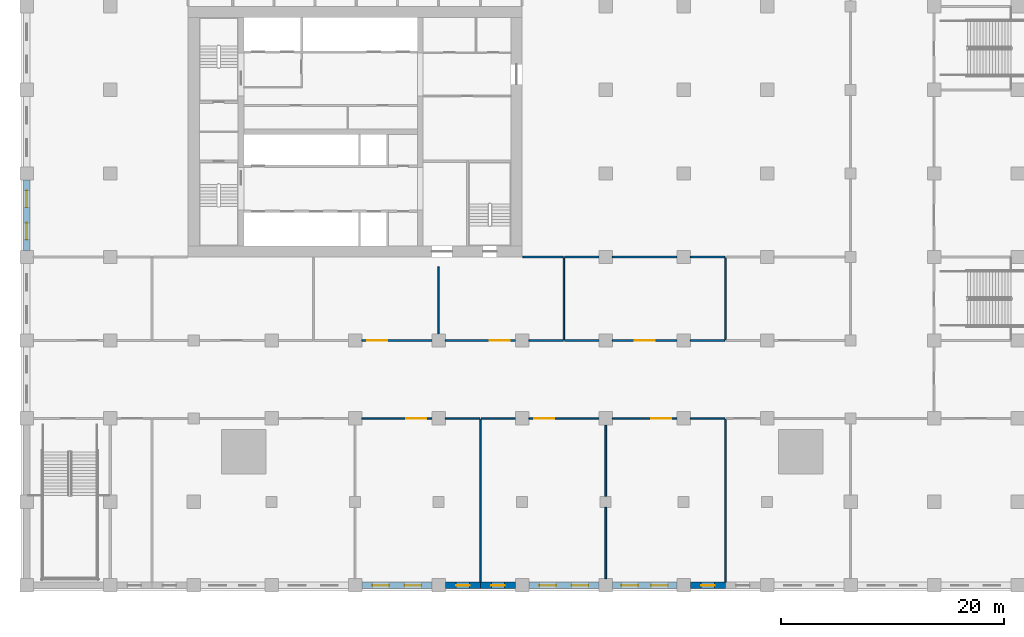
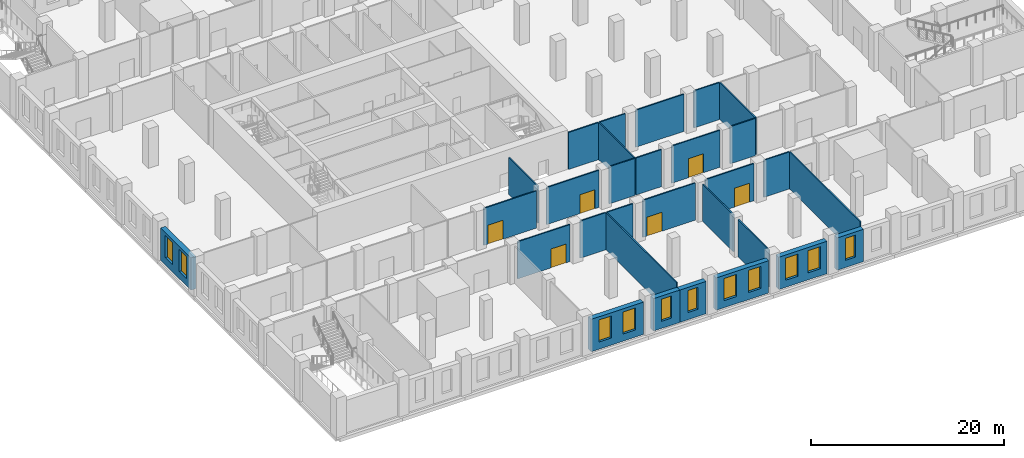
# One storey, part 4 of 32: 30 walls, 11 windows, 6 doors, 17 openings.
"""IFC4 building model written with IfcOpenShell, lengths in metres."""

from ifc_helpers import new_model, si_unit, direction, frame, frame_2d, origin, place, context, subcontext, project, spatial, rectangle, extrude, material, layer, layer_set, type_object, element, fill, save


model = new_model("IFC4")

# Units and contexts
model_context = context("Model", 3, precision=1e-05, world=origin(), true_north=direction((0.0, 1.0)))
body_context = subcontext(model_context, "Body", "Model", "MODEL_VIEW")
ifc_project = project(units=[si_unit("LENGTHUNIT", "METRE"), si_unit("AREAUNIT", "SQUARE_METRE"), si_unit("VOLUMEUNIT", "CUBIC_METRE"), si_unit("PLANEANGLEUNIT", "RADIAN"), si_unit("MASSUNIT", "GRAM", prefix="KILO")], contexts=[model_context])

# Site, building, storey
site_placement = place(None, origin())
site = spatial("IfcSite", under=ifc_project, at=site_placement, CompositionType="ELEMENT")
building_placement = place(site_placement, origin())
building = spatial("IfcBuilding", under=site, at=building_placement, Name="Tamorin Gate", CompositionType="ELEMENT")
storey_placement = place(building_placement, frame((0.0, 0.0, 18.5)))
storey = spatial("IfcBuildingStorey", under=building, at=storey_placement, Name="L03", CompositionType="ELEMENT", Elevation=18.5)

# Wall, opening, door
ifc_material_1 = material(Name="Concrete masonry C20/25", Category="masonry")
ifc_layer_1 = layer(ifc_material_1, 0.14990234375)
ifc_layer_set_1 = layer_set([ifc_layer_1], Name="Partition 150")
wall_type_1 = type_object("IfcWallType", Name="Partition 150", PredefinedType="PARTITIONING", material=ifc_layer_set_1)
wall_1_placement = place(storey_placement, frame((45.60009765625, 45.5, 0.0), z_axis=(0.0, 0.0, 1.0), x_axis=(1.0, 0.0, 0.0)))
wall_1 = element("IfcWall", 1, at=wall_1_placement, inside=storey, type_object=wall_type_1, Name="Partition 150 L03", PredefinedType="PARTITIONING", context=body_context, shape_type="SweptSolid", body=[
    extrude(rectangle(XDim=6.2998046875, YDim=0.14990234375, at=frame_2d((3.14990234375, 0.0))), origin(), (0.0, 0.0, 1.0), 4.699951171875),
])
opening_1_placement = place(wall_1_placement, frame((4.0, 0.0, 0.0)))
opening_1 = element("IfcOpeningElement", 2, at=opening_1_placement, cuts=wall_1, Name="Opening DP3", PredefinedType="OPENING", context=body_context, shape_type="SweptSolid", body=[
    extrude(rectangle(XDim=1.800048828125, YDim=2.39990234375, at=frame_2d((0.89990234375, 1.199951171875))), frame((0.0, 0.0849609375, 0.0), z_axis=(0.0, -1.0, 0.0), x_axis=(1.0, 0.0, 0.0)), (0.0, 0.0, 1.0), 0.169921875),
])
ifc_material_2 = material(Name="Steel and glass", Category="steel")
door_type = type_object("IfcDoorType", Name="Door pair 1800", OperationType="DOUBLE_DOOR_SINGLE_SWING", PredefinedType="DOOR", material=ifc_material_2)
door_1_placement = place(opening_1_placement, origin())
door_1 = element("IfcDoor", 3, at=door_1_placement, inside=storey, type_object=door_type, Name="Door pair 1800 L03", OperationType="SINGLE_SWING_LEFT", OverallHeight=2.39990234375, OverallWidth=1.800048828125, PredefinedType="DOOR", context=body_context, shape_type="SweptSolid", body=[
    extrude(rectangle(XDim=1.800048828125, YDim=2.39990234375, at=frame_2d((0.89990234375, 1.199951171875))), frame((0.0, 0.02490234375, 0.0), z_axis=(0.0, -1.0, 0.0), x_axis=(1.0, 0.0, 0.0)), (0.0, 0.0, 1.0), 0.050048828125),
])
fill(opening_1, door_1)

# Walls
for number, where, z_axis, x_axis, name in (
    (4, (53.10009765625, 45.5, 0.0), (0.0, 0.0, 1.0), (1.0, 0.0, 0.0), "Partition 150 L03"),
    (5, (56.324951171875, 45.5, 0.0), (0.0, 0.0, 1.0), (1.0, 0.0, 0.0), "Partition 150 L03"),
):
    element("IfcWall", number, at=place(storey_placement, frame(where, z_axis=z_axis, x_axis=x_axis)), inside=storey, type_object=wall_type_1, Name=name, PredefinedType="PARTITIONING", context=body_context, shape_type="SweptSolid", body=[
        extrude(rectangle(XDim=3.074951171875, YDim=0.14990234375, at=frame_2d((1.53759765625, 0.0))), origin(), (0.0, 0.0, 1.0), 4.699951171875),
    ])

# Wall, opening, door
wall_2_placement = place(storey_placement, frame((60.60009765625, 45.5, 0.0), z_axis=(0.0, 0.0, 1.0), x_axis=(1.0, 0.0, 0.0)))
wall_2 = element("IfcWall", 6, at=wall_2_placement, inside=storey, type_object=wall_type_1, Name="Partition 150 L03", PredefinedType="PARTITIONING", context=body_context, shape_type="SweptSolid", body=[
    extrude(rectangle(XDim=6.2998046875, YDim=0.14990234375, at=frame_2d((3.14990234375, 0.0))), origin(), (0.0, 0.0, 1.0), 4.699951171875),
])
opening_2_placement = place(wall_2_placement, frame((0.5, 0.0, 0.0)))
opening_2 = element("IfcOpeningElement", 7, at=opening_2_placement, cuts=wall_2, Name="Opening DP3", PredefinedType="OPENING", context=body_context, shape_type="SweptSolid", body=[
    extrude(rectangle(XDim=1.800048828125, YDim=2.39990234375, at=frame_2d((0.89990234375, 1.199951171875))), frame((0.0, 0.0849609375, 0.0), z_axis=(0.0, -1.0, 0.0), x_axis=(1.0, 0.0, 0.0)), (0.0, 0.0, 1.0), 0.169921875),
])
door_2_placement = place(opening_2_placement, origin())
door_2 = element("IfcDoor", 8, at=door_2_placement, inside=storey, type_object=door_type, Name="Door pair 1800 L03", OperationType="SINGLE_SWING_LEFT", OverallHeight=2.39990234375, OverallWidth=1.800048828125, PredefinedType="DOOR", context=body_context, shape_type="SweptSolid", body=[
    extrude(rectangle(XDim=1.800048828125, YDim=2.39990234375, at=frame_2d((0.89990234375, 1.199951171875))), frame((0.0, 0.02490234375, 0.0), z_axis=(0.0, -1.0, 0.0), x_axis=(1.0, 0.0, 0.0)), (0.0, 0.0, 1.0), 0.050048828125),
])
fill(opening_2, door_2)

wall_3_placement = place(storey_placement, frame((68.10009765625, 45.5, 0.0), z_axis=(0.0, 0.0, 1.0), x_axis=(1.0, 0.0, 0.0)))
wall_3 = element("IfcWall", 9, at=wall_3_placement, inside=storey, type_object=wall_type_1, Name="Partition 150 L03", PredefinedType="PARTITIONING", context=body_context, shape_type="SweptSolid", body=[
    extrude(rectangle(XDim=5.7998046875, YDim=0.14990234375, at=frame_2d((2.89990234375, 0.0))), origin(), (0.0, 0.0, 1.0), 4.699951171875),
])
opening_3_placement = place(wall_3_placement, frame((3.5, 0.0, 0.0)))
opening_3 = element("IfcOpeningElement", 10, at=opening_3_placement, cuts=wall_3, Name="Opening DP3", PredefinedType="OPENING", context=body_context, shape_type="SweptSolid", body=[
    extrude(rectangle(XDim=1.800048828125, YDim=2.39990234375, at=frame_2d((0.89990234375, 1.199951171875))), frame((0.0, 0.0849609375, 0.0), z_axis=(0.0, -1.0, 0.0), x_axis=(1.0, 0.0, 0.0)), (0.0, 0.0, 1.0), 0.169921875),
])
door_3_placement = place(opening_3_placement, origin())
door_3 = element("IfcDoor", 11, at=door_3_placement, inside=storey, type_object=door_type, Name="Door pair 1800 L03", OperationType="SINGLE_SWING_LEFT", OverallHeight=2.39990234375, OverallWidth=1.800048828125, PredefinedType="DOOR", context=body_context, shape_type="SweptSolid", body=[
    extrude(rectangle(XDim=1.800048828125, YDim=2.39990234375, at=frame_2d((0.89990234375, 1.199951171875))), frame((0.0, 0.02490234375, 0.0), z_axis=(0.0, -1.0, 0.0), x_axis=(1.0, 0.0, 0.0)), (0.0, 0.0, 1.0), 0.050048828125),
])
fill(opening_3, door_3)

# Wall
wall_4_placement = place(storey_placement, frame((75.10009765625, 45.5, 0.0), z_axis=(0.0, 0.0, 1.0), x_axis=(1.0, 0.0, 0.0)))
element("IfcWall", 12, at=wall_4_placement, inside=storey, type_object=wall_type_1, Name="Partition 150 L03", PredefinedType="PARTITIONING", context=body_context, shape_type="SweptSolid", body=[
    extrude(rectangle(XDim=3.074951171875, YDim=0.14990234375, at=frame_2d((1.53759765625, 0.0))), origin(), (0.0, 0.0, 1.0), 4.699951171875),
])

# Wall, opening, door
wall_5_placement = place(storey_placement, frame((51.89990234375, 52.5, 0.0), z_axis=(0.0, 0.0, 1.0), x_axis=(-1.0, 0.0, 0.0)))
wall_5 = element("IfcWall", 13, at=wall_5_placement, inside=storey, type_object=wall_type_1, Name="Partition 150 L03", PredefinedType="PARTITIONING", context=body_context, shape_type="SweptSolid", body=[
    extrude(rectangle(XDim=6.2998046875, YDim=0.14990234375, at=frame_2d((3.14990234375, 0.0))), origin(), (0.0, 0.0, 1.0), 4.699951171875),
])
opening_4_placement = place(wall_5_placement, frame((4.0, 0.0, 0.0)))
opening_4 = element("IfcOpeningElement", 14, at=opening_4_placement, cuts=wall_5, Name="Opening DP3", PredefinedType="OPENING", context=body_context, shape_type="SweptSolid", body=[
    extrude(rectangle(XDim=1.800048828125, YDim=2.39990234375, at=frame_2d((0.89990234375, 1.199951171875))), frame((0.0, 0.0849609375, 0.0), z_axis=(0.0, -1.0, 0.0), x_axis=(1.0, 0.0, 0.0)), (0.0, 0.0, 1.0), 0.169921875),
])
door_4_placement = place(opening_4_placement, origin())
door_4 = element("IfcDoor", 15, at=door_4_placement, inside=storey, type_object=door_type, Name="Door pair 1800 L03", OperationType="SINGLE_SWING_LEFT", OverallHeight=2.39990234375, OverallWidth=1.800048828125, PredefinedType="DOOR", context=body_context, shape_type="SweptSolid", body=[
    extrude(rectangle(XDim=1.800048828125, YDim=2.39990234375, at=frame_2d((0.89990234375, 1.199951171875))), frame((0.0, 0.02490234375, 0.0), z_axis=(0.0, -1.0, 0.0), x_axis=(1.0, 0.0, 0.0)), (0.0, 0.0, 1.0), 0.050048828125),
])
fill(opening_4, door_4)

wall_6_placement = place(storey_placement, frame((59.39990234375, 52.5, 0.0), z_axis=(0.0, 0.0, 1.0), x_axis=(-1.0, 0.0, 0.0)))
wall_6 = element("IfcWall", 16, at=wall_6_placement, inside=storey, type_object=wall_type_1, Name="Partition 150 L03", PredefinedType="PARTITIONING", context=body_context, shape_type="SweptSolid", body=[
    extrude(rectangle(XDim=6.2998046875, YDim=0.14990234375, at=frame_2d((3.14990234375, 0.0))), origin(), (0.0, 0.0, 1.0), 4.699951171875),
])
opening_5_placement = place(wall_6_placement, frame((0.5, 0.0, 0.0)))
opening_5 = element("IfcOpeningElement", 17, at=opening_5_placement, cuts=wall_6, Name="Opening DP3", PredefinedType="OPENING", context=body_context, shape_type="SweptSolid", body=[
    extrude(rectangle(XDim=1.800048828125, YDim=2.39990234375, at=frame_2d((0.89990234375, 1.199951171875))), frame((0.0, 0.0849609375, 0.0), z_axis=(0.0, -1.0, 0.0), x_axis=(1.0, 0.0, 0.0)), (0.0, 0.0, 1.0), 0.169921875),
])
door_5_placement = place(opening_5_placement, origin())
door_5 = element("IfcDoor", 18, at=door_5_placement, inside=storey, type_object=door_type, Name="Door pair 1800 L03", OperationType="SINGLE_SWING_LEFT", OverallHeight=2.39990234375, OverallWidth=1.800048828125, PredefinedType="DOOR", context=body_context, shape_type="SweptSolid", body=[
    extrude(rectangle(XDim=1.800048828125, YDim=2.39990234375, at=frame_2d((0.89990234375, 1.199951171875))), frame((0.0, 0.02490234375, 0.0), z_axis=(0.0, -1.0, 0.0), x_axis=(1.0, 0.0, 0.0)), (0.0, 0.0, 1.0), 0.050048828125),
])
fill(opening_5, door_5)

# Walls
for number, where, z_axis, x_axis, name in (
    (19, (60.60009765625, 52.5, 0.0), (0.0, 0.0, 1.0), (1.0, 0.0, 0.0), "Partition 150 L03"),
    (20, (63.824951171875, 52.5, 0.0), (0.0, 0.0, 1.0), (1.0, 0.0, 0.0), "Partition 150 L03"),
):
    element("IfcWall", number, at=place(storey_placement, frame(where, z_axis=z_axis, x_axis=x_axis)), inside=storey, type_object=wall_type_1, Name=name, PredefinedType="PARTITIONING", context=body_context, shape_type="SweptSolid", body=[
        extrude(rectangle(XDim=3.074951171875, YDim=0.14990234375, at=frame_2d((1.53759765625, 0.0))), origin(), (0.0, 0.0, 1.0), 4.699951171875),
    ])

# Wall, opening, door
wall_7_placement = place(storey_placement, frame((73.89990234375, 52.5, 0.0), z_axis=(0.0, 0.0, 1.0), x_axis=(-1.0, 0.0, 0.0)))
wall_7 = element("IfcWall", 21, at=wall_7_placement, inside=storey, type_object=wall_type_1, Name="Partition 150 L03", PredefinedType="PARTITIONING", context=body_context, shape_type="SweptSolid", body=[
    extrude(rectangle(XDim=5.7998046875, YDim=0.14990234375, at=frame_2d((2.89990234375, 0.0))), origin(), (0.0, 0.0, 1.0), 4.699951171875),
])
opening_6_placement = place(wall_7_placement, frame((2.0, 0.0, 0.0)))
opening_6 = element("IfcOpeningElement", 22, at=opening_6_placement, cuts=wall_7, Name="Opening DP3", PredefinedType="OPENING", context=body_context, shape_type="SweptSolid", body=[
    extrude(rectangle(XDim=1.800048828125, YDim=2.39990234375, at=frame_2d((0.89990234375, 1.199951171875))), frame((0.0, 0.0849609375, 0.0), z_axis=(0.0, -1.0, 0.0), x_axis=(1.0, 0.0, 0.0)), (0.0, 0.0, 1.0), 0.169921875),
])
door_6_placement = place(opening_6_placement, origin())
door_6 = element("IfcDoor", 23, at=door_6_placement, inside=storey, type_object=door_type, Name="Door pair 1800 L03", OperationType="SINGLE_SWING_LEFT", OverallHeight=2.39990234375, OverallWidth=1.800048828125, PredefinedType="DOOR", context=body_context, shape_type="SweptSolid", body=[
    extrude(rectangle(XDim=1.800048828125, YDim=2.39990234375, at=frame_2d((0.89990234375, 1.199951171875))), frame((0.0, 0.02490234375, 0.0), z_axis=(0.0, -1.0, 0.0), x_axis=(1.0, 0.0, 0.0)), (0.0, 0.0, 1.0), 0.050048828125),
])
fill(opening_6, door_6)

# Walls
wall_8_placement = place(storey_placement, frame((75.10009765625, 52.5, 0.0), z_axis=(0.0, 0.0, 1.0), x_axis=(1.0, 0.0, 0.0)))
element("IfcWall", 24, at=wall_8_placement, inside=storey, type_object=wall_type_1, Name="Partition 150 L03", PredefinedType="PARTITIONING", context=body_context, shape_type="SweptSolid", body=[
    extrude(rectangle(XDim=3.074951171875, YDim=0.14990234375, at=frame_2d((1.53759765625, 0.0))), origin(), (0.0, 0.0, 1.0), 4.699951171875),
])
wall_9_placement = place(storey_placement, frame((60.074951171875, 60.0, 0.0), z_axis=(0.0, 0.0, 1.0), x_axis=(1.0, 0.0, 0.0)))
element("IfcWall", 25, at=wall_9_placement, inside=storey, type_object=wall_type_1, Name="Partition 150 L03", PredefinedType="PARTITIONING", context=body_context, shape_type="SweptSolid", body=[
    extrude(rectangle(XDim=3.60009765625, YDim=0.14990234375, at=frame_2d((1.800048828125, 0.0))), origin(), (0.0, 0.0, 1.0), 4.699951171875),
])
wall_10_placement = place(storey_placement, frame((63.824951171875, 60.0, 0.0), z_axis=(0.0, 0.0, 1.0), x_axis=(1.0, 0.0, 0.0)))
element("IfcWall", 26, at=wall_10_placement, inside=storey, type_object=wall_type_1, Name="Partition 150 L03", PredefinedType="PARTITIONING", context=body_context, shape_type="SweptSolid", body=[
    extrude(rectangle(XDim=3.074951171875, YDim=0.14990234375, at=frame_2d((1.53759765625, 0.0))), origin(), (0.0, 0.0, 1.0), 4.699951171875),
])
wall_11_placement = place(storey_placement, frame((68.10009765625, 60.0, 0.0), z_axis=(0.0, 0.0, 1.0), x_axis=(1.0, 0.0, 0.0)))
element("IfcWall", 27, at=wall_11_placement, inside=storey, type_object=wall_type_1, Name="Partition 150 L03", PredefinedType="PARTITIONING", context=body_context, shape_type="SweptSolid", body=[
    extrude(rectangle(XDim=5.7998046875, YDim=0.14990234375, at=frame_2d((2.89990234375, 0.0))), origin(), (0.0, 0.0, 1.0), 4.699951171875),
])
wall_12_placement = place(storey_placement, frame((75.10009765625, 60.0, 0.0), z_axis=(0.0, 0.0, 1.0), x_axis=(1.0, 0.0, 0.0)))
element("IfcWall", 28, at=wall_12_placement, inside=storey, type_object=wall_type_1, Name="Partition 150 L03", PredefinedType="PARTITIONING", context=body_context, shape_type="SweptSolid", body=[
    extrude(rectangle(XDim=3.074951171875, YDim=0.14990234375, at=frame_2d((1.53759765625, 0.0))), origin(), (0.0, 0.0, 1.0), 4.699951171875),
])
wall_13_placement = place(storey_placement, frame((56.25, 30.800048828125, 0.0), z_axis=(0.0, 0.0, 1.0), x_axis=(0.0, 1.0, 0.0)))
element("IfcWall", 29, at=wall_13_placement, inside=storey, type_object=wall_type_1, Name="Partition 150 L03", PredefinedType="PARTITIONING", context=body_context, shape_type="SweptSolid", body=[
    extrude(rectangle(XDim=14.625, YDim=0.14990234375, at=frame_2d((7.3125, 0.0))), origin(), (0.0, 0.0, 1.0), 4.699951171875),
])
for number, where, z_axis, x_axis, name in (
    (30, (67.5, 31.10009765625, 0.0), (0.0, 0.0, 1.0), (0.0, 1.0, 0.0), "Partition 150 L03"),
    (31, (67.5, 38.5, 0.0), (0.0, 0.0, 1.0), (0.0, 1.0, 0.0), "Partition 150 L03"),
):
    element("IfcWall", number, at=place(storey_placement, frame(where, z_axis=z_axis, x_axis=x_axis)), inside=storey, type_object=wall_type_1, Name=name, PredefinedType="PARTITIONING", context=body_context, shape_type="SweptSolid", body=[
        extrude(rectangle(XDim=6.39990234375, YDim=0.14990234375, at=frame_2d((3.199951171875, 0.0))), origin(), (0.0, 0.0, 1.0), 4.699951171875),
    ])
wall_14_placement = place(storey_placement, frame((78.25, 30.800048828125, 0.0), z_axis=(0.0, 0.0, 1.0), x_axis=(0.0, 1.0, 0.0)))
element("IfcWall", 32, at=wall_14_placement, inside=storey, type_object=wall_type_1, Name="Partition 150 L03", PredefinedType="PARTITIONING", context=body_context, shape_type="SweptSolid", body=[
    extrude(rectangle(XDim=14.625, YDim=0.14990234375, at=frame_2d((7.3125, 0.0))), origin(), (0.0, 0.0, 1.0), 4.699951171875),
])
wall_15_placement = place(storey_placement, frame((78.25, 52.574951171875, 0.0), z_axis=(0.0, 0.0, 1.0), x_axis=(0.0, 1.0, 0.0)))
element("IfcWall", 33, at=wall_15_placement, inside=storey, type_object=wall_type_1, Name="Partition 150 L03", PredefinedType="PARTITIONING", context=body_context, shape_type="SweptSolid", body=[
    extrude(rectangle(XDim=7.35009765625, YDim=0.14990234375, at=frame_2d((3.675048828125, 0.0))), origin(), (0.0, 0.0, 1.0), 4.699951171875),
])
wall_16_placement = place(storey_placement, frame((52.5, 53.10009765625, 0.0), z_axis=(0.0, 0.0, 1.0), x_axis=(0.0, 1.0, 0.0)))
element("IfcWall", 34, at=wall_16_placement, inside=storey, type_object=wall_type_1, Name="Partition 150 L03", PredefinedType="PARTITIONING", context=body_context, shape_type="SweptSolid", body=[
    extrude(rectangle(XDim=6.0, YDim=0.14990234375, at=frame_2d((3.0, 0.0))), origin(), (0.0, 0.0, 1.0), 4.699951171875),
])
wall_17_placement = place(storey_placement, frame((63.75, 52.574951171875, 0.0), z_axis=(0.0, 0.0, 1.0), x_axis=(0.0, 1.0, 0.0)))
element("IfcWall", 35, at=wall_17_placement, inside=storey, type_object=wall_type_1, Name="Partition 150 L03", PredefinedType="PARTITIONING", context=body_context, shape_type="SweptSolid", body=[
    extrude(rectangle(XDim=7.35009765625, YDim=0.14990234375, at=frame_2d((3.675048828125, 0.0))), origin(), (0.0, 0.0, 1.0), 4.699951171875),
])

# Wall, openings, windows
ifc_material_3 = material(Name="Precast concrete C40/50", Category="concrete")
ifc_layer_2 = layer(ifc_material_3, 0.60009765625)
ifc_layer_set_2 = layer_set([ifc_layer_2], Name="Precast concrete C40/50")
wall_type_2 = type_object("IfcWallType", Name="Precast plinth wall 600", PredefinedType="PARTITIONING", material=ifc_layer_set_2)
wall_18_placement = place(storey_placement, frame((45.60009765625, 30.5, 0.0), z_axis=(0.0, 0.0, 1.0), x_axis=(1.0, 0.0, 0.0)))
wall_18 = element("IfcWall", 36, at=wall_18_placement, inside=storey, type_object=wall_type_2, Name="Precast plinth wall 600 L03", PredefinedType="PARTITIONING", context=body_context, shape_type="SweptSolid", body=[
    extrude(rectangle(XDim=6.2998046875, YDim=0.60009765625, at=frame_2d((3.14990234375, 0.0))), origin(), (0.0, 0.0, 1.0), 4.10009765625),
])
opening_7_placement = place(wall_18_placement, frame((0.950927734375, 0.0, 0.89990234375)))
opening_7 = element("IfcOpeningElement", 37, at=opening_7_placement, cuts=wall_18, Name="Opening PWN5", PredefinedType="OPENING", context=body_context, shape_type="SweptSolid", body=[
    extrude(rectangle(XDim=1.5, YDim=2.800048828125, at=frame_2d((0.75, 1.39990234375))), frame((0.0, 0.31005859375, 0.0), z_axis=(0.0, -1.0, 0.0), x_axis=(1.0, 0.0, 0.0)), (0.0, 0.0, 1.0), 0.6201171875),
])
opening_8_placement = place(wall_18_placement, frame((3.84912109375, 0.0, 0.89990234375)))
opening_8 = element("IfcOpeningElement", 38, at=opening_8_placement, cuts=wall_18, Name="Opening PWN5", PredefinedType="OPENING", context=body_context, shape_type="SweptSolid", body=[
    extrude(rectangle(XDim=1.5, YDim=2.800048828125, at=frame_2d((0.75, 1.39990234375))), frame((0.0, 0.31005859375, 0.0), z_axis=(0.0, -1.0, 0.0), x_axis=(1.0, 0.0, 0.0)), (0.0, 0.0, 1.0), 0.6201171875),
])
ifc_material_4 = material(Name="Aluminium and glass", Category="aluminium")
window_type_1 = type_object("IfcWindowType", Name="Plinth window 1500x2800", PartitioningType="DOUBLE_PANEL_VERTICAL", PredefinedType="WINDOW", material=ifc_material_4)
window_1_placement = place(opening_7_placement, origin())
window_1 = element("IfcWindow", 39, at=window_1_placement, inside=storey, type_object=window_type_1, Name="Plinth window 1500x2800", OverallHeight=2.800048828125, OverallWidth=1.5, PartitioningType="SINGLE_PANEL", PredefinedType="WINDOW", context=body_context, shape_type="SweptSolid", body=[
    extrude(rectangle(XDim=1.5, YDim=2.800048828125, at=frame_2d((0.75, 1.39990234375))), frame((0.0, 0.030029296875, 0.0), z_axis=(0.0, -1.0, 0.0), x_axis=(1.0, 0.0, 0.0)), (0.0, 0.0, 1.0), 0.06005859375),
])
fill(opening_7, window_1)
window_2_placement = place(opening_8_placement, origin())
window_2 = element("IfcWindow", 40, at=window_2_placement, inside=storey, type_object=window_type_1, Name="Plinth window 1500x2800", OverallHeight=2.800048828125, OverallWidth=1.5, PartitioningType="SINGLE_PANEL", PredefinedType="WINDOW", context=body_context, shape_type="SweptSolid", body=[
    extrude(rectangle(XDim=1.5, YDim=2.800048828125, at=frame_2d((0.75, 1.39990234375))), frame((0.0, 0.030029296875, 0.0), z_axis=(0.0, -1.0, 0.0), x_axis=(1.0, 0.0, 0.0)), (0.0, 0.0, 1.0), 0.06005859375),
])
fill(opening_8, window_2)

# Wall, opening, window
wall_19_placement = place(storey_placement, frame((53.10009765625, 30.5, 0.0), z_axis=(0.0, 0.0, 1.0), x_axis=(1.0, 0.0, 0.0)))
wall_19 = element("IfcWall", 41, at=wall_19_placement, inside=storey, type_object=wall_type_2, Name="Precast plinth wall 600 L03", PredefinedType="PARTITIONING", context=body_context, shape_type="SweptSolid", body=[
    extrude(rectangle(XDim=3.14990234375, YDim=0.60009765625, at=frame_2d((1.574951171875, 0.0))), origin(), (0.0, 0.0, 1.0), 4.10009765625),
])
opening_9_placement = place(wall_19_placement, frame((0.97509765625, 0.0, 0.89990234375)))
opening_9 = element("IfcOpeningElement", 42, at=opening_9_placement, cuts=wall_19, Name="Opening PWN4", PredefinedType="OPENING", context=body_context, shape_type="SweptSolid", body=[
    extrude(rectangle(XDim=1.199951171875, YDim=2.800048828125, at=frame_2d((0.60009765625, 1.39990234375))), frame((0.0, 0.31005859375, 0.0), z_axis=(0.0, -1.0, 0.0), x_axis=(1.0, 0.0, 0.0)), (0.0, 0.0, 1.0), 0.6201171875),
])
window_type_2 = type_object("IfcWindowType", Name="Plinth window 1200x2800", PartitioningType="DOUBLE_PANEL_VERTICAL", PredefinedType="WINDOW", material=ifc_material_4)
window_3_placement = place(opening_9_placement, origin())
window_3 = element("IfcWindow", 43, at=window_3_placement, inside=storey, type_object=window_type_2, Name="Plinth window 1200x2800", OverallHeight=2.800048828125, OverallWidth=1.199951171875, PartitioningType="SINGLE_PANEL", PredefinedType="WINDOW", context=body_context, shape_type="SweptSolid", body=[
    extrude(rectangle(XDim=1.199951171875, YDim=2.800048828125, at=frame_2d((0.60009765625, 1.39990234375))), frame((0.0, 0.030029296875, 0.0), z_axis=(0.0, -1.0, 0.0), x_axis=(1.0, 0.0, 0.0)), (0.0, 0.0, 1.0), 0.06005859375),
])
fill(opening_9, window_3)

wall_20_placement = place(storey_placement, frame((56.25, 30.5, 0.0), z_axis=(0.0, 0.0, 1.0), x_axis=(1.0, 0.0, 0.0)))
wall_20 = element("IfcWall", 44, at=wall_20_placement, inside=storey, type_object=wall_type_2, Name="Precast plinth wall 600 L03", PredefinedType="PARTITIONING", context=body_context, shape_type="SweptSolid", body=[
    extrude(rectangle(XDim=3.14990234375, YDim=0.60009765625, at=frame_2d((1.574951171875, 0.0))), origin(), (0.0, 0.0, 1.0), 4.10009765625),
])
opening_10_placement = place(wall_20_placement, frame((0.97509765625, 0.0, 0.89990234375)))
opening_10 = element("IfcOpeningElement", 45, at=opening_10_placement, cuts=wall_20, Name="Opening PWN4", PredefinedType="OPENING", context=body_context, shape_type="SweptSolid", body=[
    extrude(rectangle(XDim=1.199951171875, YDim=2.800048828125, at=frame_2d((0.60009765625, 1.39990234375))), frame((0.0, 0.31005859375, 0.0), z_axis=(0.0, -1.0, 0.0), x_axis=(1.0, 0.0, 0.0)), (0.0, 0.0, 1.0), 0.6201171875),
])
window_4_placement = place(opening_10_placement, origin())
window_4 = element("IfcWindow", 46, at=window_4_placement, inside=storey, type_object=window_type_2, Name="Plinth window 1200x2800", OverallHeight=2.800048828125, OverallWidth=1.199951171875, PartitioningType="SINGLE_PANEL", PredefinedType="WINDOW", context=body_context, shape_type="SweptSolid", body=[
    extrude(rectangle(XDim=1.199951171875, YDim=2.800048828125, at=frame_2d((0.60009765625, 1.39990234375))), frame((0.0, 0.030029296875, 0.0), z_axis=(0.0, -1.0, 0.0), x_axis=(1.0, 0.0, 0.0)), (0.0, 0.0, 1.0), 0.06005859375),
])
fill(opening_10, window_4)

# Wall, openings, windows
wall_21_placement = place(storey_placement, frame((60.60009765625, 30.5, 0.0), z_axis=(0.0, 0.0, 1.0), x_axis=(1.0, 0.0, 0.0)))
wall_21 = element("IfcWall", 47, at=wall_21_placement, inside=storey, type_object=wall_type_2, Name="Precast plinth wall 600 L03", PredefinedType="PARTITIONING", context=body_context, shape_type="SweptSolid", body=[
    extrude(rectangle(XDim=6.2998046875, YDim=0.60009765625, at=frame_2d((3.14990234375, 0.0))), origin(), (0.0, 0.0, 1.0), 4.10009765625),
])
opening_11_placement = place(wall_21_placement, frame((0.950927734375, 0.0, 0.89990234375)))
opening_11 = element("IfcOpeningElement", 48, at=opening_11_placement, cuts=wall_21, Name="Opening PWN5", PredefinedType="OPENING", context=body_context, shape_type="SweptSolid", body=[
    extrude(rectangle(XDim=1.5, YDim=2.800048828125, at=frame_2d((0.75, 1.39990234375))), frame((0.0, 0.31005859375, 0.0), z_axis=(0.0, -1.0, 0.0), x_axis=(1.0, 0.0, 0.0)), (0.0, 0.0, 1.0), 0.6201171875),
])
opening_12_placement = place(wall_21_placement, frame((3.84912109375, 0.0, 0.89990234375)))
opening_12 = element("IfcOpeningElement", 49, at=opening_12_placement, cuts=wall_21, Name="Opening PWN5", PredefinedType="OPENING", context=body_context, shape_type="SweptSolid", body=[
    extrude(rectangle(XDim=1.5, YDim=2.800048828125, at=frame_2d((0.75, 1.39990234375))), frame((0.0, 0.31005859375, 0.0), z_axis=(0.0, -1.0, 0.0), x_axis=(1.0, 0.0, 0.0)), (0.0, 0.0, 1.0), 0.6201171875),
])
window_5_placement = place(opening_11_placement, origin())
window_5 = element("IfcWindow", 50, at=window_5_placement, inside=storey, type_object=window_type_1, Name="Plinth window 1500x2800", OverallHeight=2.800048828125, OverallWidth=1.5, PartitioningType="SINGLE_PANEL", PredefinedType="WINDOW", context=body_context, shape_type="SweptSolid", body=[
    extrude(rectangle(XDim=1.5, YDim=2.800048828125, at=frame_2d((0.75, 1.39990234375))), frame((0.0, 0.030029296875, 0.0), z_axis=(0.0, -1.0, 0.0), x_axis=(1.0, 0.0, 0.0)), (0.0, 0.0, 1.0), 0.06005859375),
])
fill(opening_11, window_5)
window_6_placement = place(opening_12_placement, origin())
window_6 = element("IfcWindow", 51, at=window_6_placement, inside=storey, type_object=window_type_1, Name="Plinth window 1500x2800", OverallHeight=2.800048828125, OverallWidth=1.5, PartitioningType="SINGLE_PANEL", PredefinedType="WINDOW", context=body_context, shape_type="SweptSolid", body=[
    extrude(rectangle(XDim=1.5, YDim=2.800048828125, at=frame_2d((0.75, 1.39990234375))), frame((0.0, 0.030029296875, 0.0), z_axis=(0.0, -1.0, 0.0), x_axis=(1.0, 0.0, 0.0)), (0.0, 0.0, 1.0), 0.06005859375),
])
fill(opening_12, window_6)

wall_22_placement = place(storey_placement, frame((68.10009765625, 30.5, 0.0), z_axis=(0.0, 0.0, 1.0), x_axis=(1.0, 0.0, 0.0)))
wall_22 = element("IfcWall", 52, at=wall_22_placement, inside=storey, type_object=wall_type_2, Name="Precast plinth wall 600 L03", PredefinedType="PARTITIONING", context=body_context, shape_type="SweptSolid", body=[
    extrude(rectangle(XDim=5.7998046875, YDim=0.60009765625, at=frame_2d((2.89990234375, 0.0))), origin(), (0.0, 0.0, 1.0), 4.10009765625),
])
opening_13_placement = place(wall_22_placement, frame((0.81591796875, 0.0, 0.89990234375)))
opening_13 = element("IfcOpeningElement", 53, at=opening_13_placement, cuts=wall_22, Name="Opening PWN5", PredefinedType="OPENING", context=body_context, shape_type="SweptSolid", body=[
    extrude(rectangle(XDim=1.5, YDim=2.800048828125, at=frame_2d((0.75, 1.39990234375))), frame((0.0, 0.31005859375, 0.0), z_axis=(0.0, -1.0, 0.0), x_axis=(1.0, 0.0, 0.0)), (0.0, 0.0, 1.0), 0.6201171875),
])
opening_14_placement = place(wall_22_placement, frame((3.48388671875, 0.0, 0.89990234375)))
opening_14 = element("IfcOpeningElement", 54, at=opening_14_placement, cuts=wall_22, Name="Opening PWN5", PredefinedType="OPENING", context=body_context, shape_type="SweptSolid", body=[
    extrude(rectangle(XDim=1.5, YDim=2.800048828125, at=frame_2d((0.75, 1.39990234375))), frame((0.0, 0.31005859375, 0.0), z_axis=(0.0, -1.0, 0.0), x_axis=(1.0, 0.0, 0.0)), (0.0, 0.0, 1.0), 0.6201171875),
])
window_7_placement = place(opening_13_placement, origin())
window_7 = element("IfcWindow", 55, at=window_7_placement, inside=storey, type_object=window_type_1, Name="Plinth window 1500x2800", OverallHeight=2.800048828125, OverallWidth=1.5, PartitioningType="SINGLE_PANEL", PredefinedType="WINDOW", context=body_context, shape_type="SweptSolid", body=[
    extrude(rectangle(XDim=1.5, YDim=2.800048828125, at=frame_2d((0.75, 1.39990234375))), frame((0.0, 0.030029296875, 0.0), z_axis=(0.0, -1.0, 0.0), x_axis=(1.0, 0.0, 0.0)), (0.0, 0.0, 1.0), 0.06005859375),
])
fill(opening_13, window_7)
window_8_placement = place(opening_14_placement, origin())
window_8 = element("IfcWindow", 56, at=window_8_placement, inside=storey, type_object=window_type_1, Name="Plinth window 1500x2800", OverallHeight=2.800048828125, OverallWidth=1.5, PartitioningType="SINGLE_PANEL", PredefinedType="WINDOW", context=body_context, shape_type="SweptSolid", body=[
    extrude(rectangle(XDim=1.5, YDim=2.800048828125, at=frame_2d((0.75, 1.39990234375))), frame((0.0, 0.030029296875, 0.0), z_axis=(0.0, -1.0, 0.0), x_axis=(1.0, 0.0, 0.0)), (0.0, 0.0, 1.0), 0.06005859375),
])
fill(opening_14, window_8)

# Wall, opening, window
wall_23_placement = place(storey_placement, frame((75.10009765625, 30.5, 0.0), z_axis=(0.0, 0.0, 1.0), x_axis=(1.0, 0.0, 0.0)))
wall_23 = element("IfcWall", 57, at=wall_23_placement, inside=storey, type_object=wall_type_2, Name="Precast plinth wall 600 L03", PredefinedType="PARTITIONING", context=body_context, shape_type="SweptSolid", body=[
    extrude(rectangle(XDim=3.14990234375, YDim=0.60009765625, at=frame_2d((1.574951171875, 0.0))), origin(), (0.0, 0.0, 1.0), 4.10009765625),
])
opening_15_placement = place(wall_23_placement, frame((0.97509765625, 0.0, 0.89990234375)))
opening_15 = element("IfcOpeningElement", 58, at=opening_15_placement, cuts=wall_23, Name="Opening PWN4", PredefinedType="OPENING", context=body_context, shape_type="SweptSolid", body=[
    extrude(rectangle(XDim=1.199951171875, YDim=2.800048828125, at=frame_2d((0.60009765625, 1.39990234375))), frame((0.0, 0.31005859375, 0.0), z_axis=(0.0, -1.0, 0.0), x_axis=(1.0, 0.0, 0.0)), (0.0, 0.0, 1.0), 0.6201171875),
])
window_9_placement = place(opening_15_placement, origin())
window_9 = element("IfcWindow", 59, at=window_9_placement, inside=storey, type_object=window_type_2, Name="Plinth window 1200x2800", OverallHeight=2.800048828125, OverallWidth=1.199951171875, PartitioningType="SINGLE_PANEL", PredefinedType="WINDOW", context=body_context, shape_type="SweptSolid", body=[
    extrude(rectangle(XDim=1.199951171875, YDim=2.800048828125, at=frame_2d((0.60009765625, 1.39990234375))), frame((0.0, 0.030029296875, 0.0), z_axis=(0.0, -1.0, 0.0), x_axis=(1.0, 0.0, 0.0)), (0.0, 0.0, 1.0), 0.06005859375),
])
fill(opening_15, window_9)

# Wall, openings, windows
wall_24_placement = place(storey_placement, frame((15.5, 60.60009765625, 0.0), z_axis=(0.0, 0.0, 1.0), x_axis=(0.0, 1.0, 0.0)))
wall_24 = element("IfcWall", 60, at=wall_24_placement, inside=storey, type_object=wall_type_2, Name="Precast plinth wall 600 L03", PredefinedType="PARTITIONING", context=body_context, shape_type="SweptSolid", body=[
    extrude(rectangle(XDim=6.2998046875, YDim=0.60009765625, at=frame_2d((3.14990234375, 0.0))), origin(), (0.0, 0.0, 1.0), 4.10009765625),
])
opening_16_placement = place(wall_24_placement, frame((0.950927734375, 0.0, 0.89990234375)))
opening_16 = element("IfcOpeningElement", 61, at=opening_16_placement, cuts=wall_24, Name="Opening PWN5", PredefinedType="OPENING", context=body_context, shape_type="SweptSolid", body=[
    extrude(rectangle(XDim=1.5, YDim=2.800048828125, at=frame_2d((0.75, 1.39990234375))), frame((0.0, 0.31005859375, 0.0), z_axis=(0.0, -1.0, 0.0), x_axis=(1.0, 0.0, 0.0)), (0.0, 0.0, 1.0), 0.6201171875),
])
opening_17_placement = place(wall_24_placement, frame((3.84912109375, 0.0, 0.89990234375)))
opening_17 = element("IfcOpeningElement", 62, at=opening_17_placement, cuts=wall_24, Name="Opening PWN5", PredefinedType="OPENING", context=body_context, shape_type="SweptSolid", body=[
    extrude(rectangle(XDim=1.5, YDim=2.800048828125, at=frame_2d((0.75, 1.39990234375))), frame((0.0, 0.31005859375, 0.0), z_axis=(0.0, -1.0, 0.0), x_axis=(1.0, 0.0, 0.0)), (0.0, 0.0, 1.0), 0.6201171875),
])
window_10_placement = place(opening_16_placement, origin())
window_10 = element("IfcWindow", 63, at=window_10_placement, inside=storey, type_object=window_type_1, Name="Plinth window 1500x2800", OverallHeight=2.800048828125, OverallWidth=1.5, PartitioningType="SINGLE_PANEL", PredefinedType="WINDOW", context=body_context, shape_type="SweptSolid", body=[
    extrude(rectangle(XDim=1.5, YDim=2.800048828125, at=frame_2d((0.75, 1.39990234375))), frame((0.0, 0.030029296875, 0.0), z_axis=(0.0, -1.0, 0.0), x_axis=(1.0, 0.0, 0.0)), (0.0, 0.0, 1.0), 0.06005859375),
])
fill(opening_16, window_10)
window_11_placement = place(opening_17_placement, origin())
window_11 = element("IfcWindow", 64, at=window_11_placement, inside=storey, type_object=window_type_1, Name="Plinth window 1500x2800", OverallHeight=2.800048828125, OverallWidth=1.5, PartitioningType="SINGLE_PANEL", PredefinedType="WINDOW", context=body_context, shape_type="SweptSolid", body=[
    extrude(rectangle(XDim=1.5, YDim=2.800048828125, at=frame_2d((0.75, 1.39990234375))), frame((0.0, 0.030029296875, 0.0), z_axis=(0.0, -1.0, 0.0), x_axis=(1.0, 0.0, 0.0)), (0.0, 0.0, 1.0), 0.06005859375),
])
fill(opening_17, window_11)

save(model, "model.ifc")
